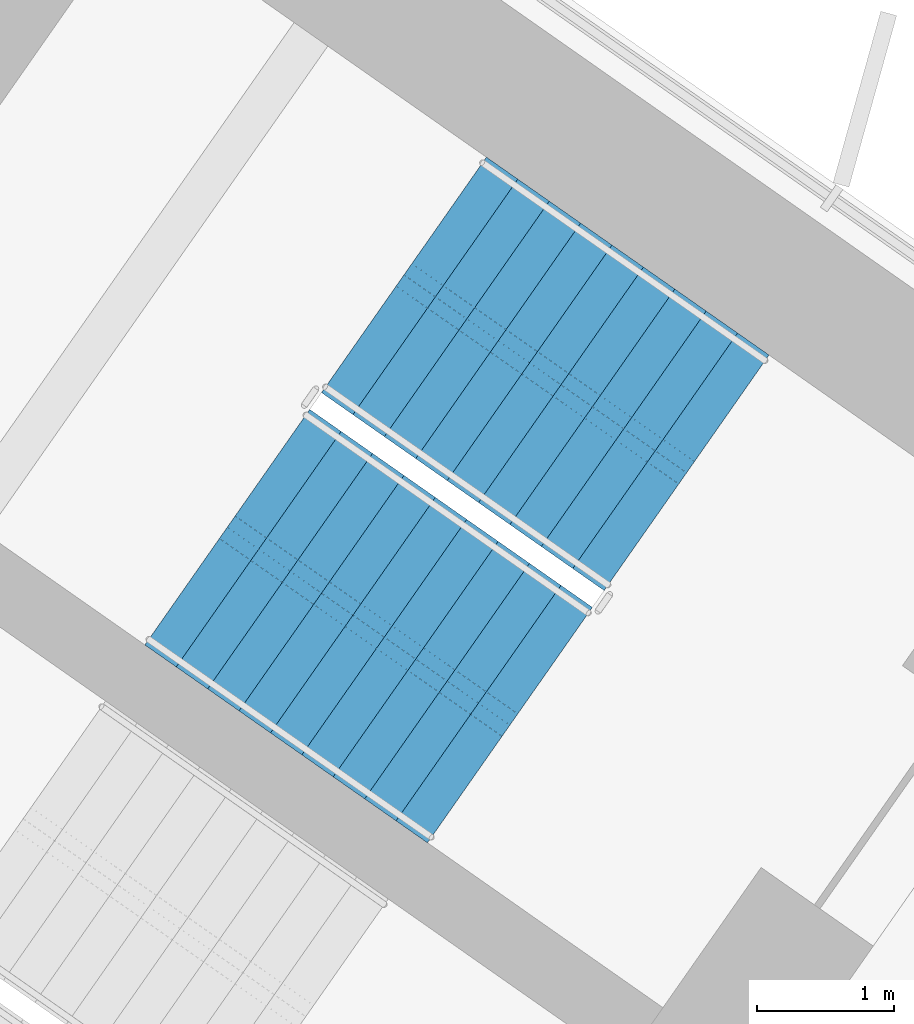
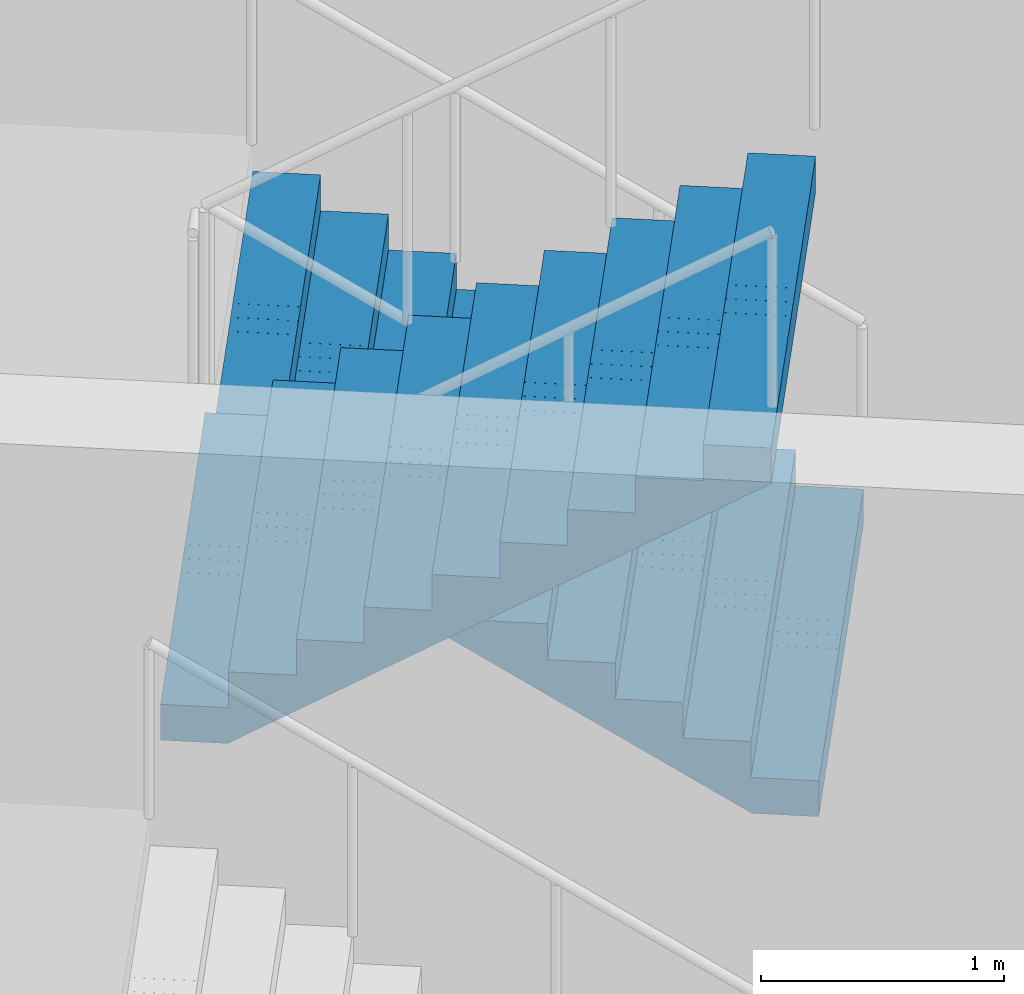
# One storey, part 17 of 23: 2 stair flights, 1 element without a shape of its own.
"""IFC4 building model written with IfcOpenShell, lengths in metres."""

from ifc_helpers import new_model, si_unit, direction, frame, origin, place, context, subcontext, project, spatial, polyline, outline, extrude, material, type_object, element, aggregate, save


model = new_model("IFC4")

# Units and contexts
model_context = context("Model", 3, precision=1e-05, world=origin(), true_north=direction((0.0, 1.0)))
body_context = subcontext(model_context, "Body", "Model", "MODEL_VIEW")
ifc_project = project(units=[si_unit("LENGTHUNIT", "METRE"), si_unit("AREAUNIT", "SQUARE_METRE"), si_unit("VOLUMEUNIT", "CUBIC_METRE"), si_unit("PLANEANGLEUNIT", "RADIAN"), si_unit("MASSUNIT", "GRAM", prefix="KILO")], contexts=[model_context])

# Site, building, storey
site_placement = place(None, origin())
site = spatial("IfcSite", under=ifc_project, at=site_placement, CompositionType="ELEMENT")
building_placement = place(site_placement, origin())
building = spatial("IfcBuilding", under=site, at=building_placement, Name="Tel Ilan Convention Tower", CompositionType="ELEMENT")
storey_placement = place(building_placement, frame((0.0, 0.0, 94.10009765625)))
storey = spatial("IfcBuildingStorey", under=building, at=storey_placement, Name="L19", CompositionType="ELEMENT", Elevation=94.10009765625)

# Stair, stair flights
ifc_material_1 = material(Name="Concrete C40/50", Category="concrete")
stair_type = type_object("IfcStairType", Name="Pressurised Exit Stair 20 risers 180 mm", PredefinedType="HALF_TURN_STAIR", material=ifc_material_1)
stair_placement = place(storey_placement, origin())
stair = element("IfcStair", 1, at=stair_placement, inside=storey, type_object=stair_type, Name="L19 Pressurised Stair S3", PredefinedType="HALF_TURN_STAIR")
ifc_material_2 = material(Name="Precast Concrete C40/50", Category="concrete")
stair_flight_type = type_object("IfcStairFlightType", Name="Concrete Stair Flight 2100 mm 20 risers 180 mm", PredefinedType="STRAIGHT", material=ifc_material_2)
stair_flight_1_placement = place(storey_placement, frame((24.25244140625, -7.032470703125, 0.0), z_axis=(0.0, 0.0, 1.0), x_axis=(-0.819152044289, 0.573576436351, 0.0)))
stair_flight_1 = element("IfcStairFlight", 2, at=stair_flight_1_placement, type_object=stair_flight_type, Name="S3 flight 1", NumberOfRisers=10, NumberOfTreads=9, PredefinedType="STRAIGHT", RiserHeight=0.18, TreadLength=0.28, context=body_context, shape_type="SweptSolid", body=[
    extrude(outline(polyline([(0.0, 0.0), (0.0, 0.179931640625), (0.280029296875, 0.179931640625), (0.280029296875, 0.360107421875), (0.56005859375, 0.360107421875), (0.56005859375, 0.5400390625), (0.840087890625, 0.5400390625), (0.840087890625, 0.719970703125), (1.1201171875, 0.719970703125), (1.1201171875, 0.89990234375), (1.39990234375, 0.89990234375), (1.39990234375, 1.080078125), (1.679931640625, 1.080078125), (1.679931640625, 1.260009765625), (1.9599609375, 1.260009765625), (1.9599609375, 1.43994140625), (2.239990234375, 1.43994140625), (2.239990234375, 1.6201171875), (2.52001953125, 1.6201171875), (2.52001953125, 1.800048828125), (2.52001953125, 1.44189453125), (0.277099609375, 0.0), (0.0, 0.0)])), frame((0.0, -0.100341796875, 0.0), z_axis=(0.0, -1.0, 0.0), x_axis=(1.0, 0.0, 0.0)), (0.0, 0.0, 1.0), 0.94970703125),
    extrude(outline(polyline([(0.0, 0.0), (0.0, 0.179931640625), (0.280029296875, 0.179931640625), (0.280029296875, 0.360107421875), (0.56005859375, 0.360107421875), (0.56005859375, 0.5400390625), (0.840087890625, 0.5400390625), (0.840087890625, 0.719970703125), (1.1201171875, 0.719970703125), (1.1201171875, 0.89990234375), (1.39990234375, 0.89990234375), (1.39990234375, 1.080078125), (1.679931640625, 1.080078125), (1.679931640625, 1.260009765625), (1.9599609375, 1.260009765625), (1.9599609375, 1.43994140625), (2.239990234375, 1.43994140625), (2.239990234375, 1.6201171875), (2.52001953125, 1.6201171875), (2.52001953125, 1.800048828125), (2.52001953125, 1.44189453125), (0.277099609375, 0.0), (0.0, 0.0)])), frame((0.0, -0.000244140625, 0.0), z_axis=(0.0, -1.0, 0.0), x_axis=(1.0, 0.0, 0.0)), (0.0, 0.0, 1.0), 0.099609375),
    extrude(outline(polyline([(0.0, 0.0), (0.0, 0.179931640625), (0.280029296875, 0.179931640625), (0.280029296875, 0.360107421875), (0.56005859375, 0.360107421875), (0.56005859375, 0.5400390625), (0.840087890625, 0.5400390625), (0.840087890625, 0.719970703125), (1.1201171875, 0.719970703125), (1.1201171875, 0.89990234375), (1.39990234375, 0.89990234375), (1.39990234375, 1.080078125), (1.679931640625, 1.080078125), (1.679931640625, 1.260009765625), (1.9599609375, 1.260009765625), (1.9599609375, 1.43994140625), (2.239990234375, 1.43994140625), (2.239990234375, 1.6201171875), (2.52001953125, 1.6201171875), (2.52001953125, 1.800048828125), (2.52001953125, 1.44189453125), (0.277099609375, 0.0), (0.0, 0.0)])), frame((0.0, 0.099853515625, 0.0), z_axis=(0.0, -1.0, 0.0), x_axis=(1.0, 0.0, 0.0)), (0.0, 0.0, 1.0), 0.099609375),
    extrude(outline(polyline([(0.0, 0.0), (0.0, 0.179931640625), (0.280029296875, 0.179931640625), (0.280029296875, 0.360107421875), (0.56005859375, 0.360107421875), (0.56005859375, 0.5400390625), (0.840087890625, 0.5400390625), (0.840087890625, 0.719970703125), (1.1201171875, 0.719970703125), (1.1201171875, 0.89990234375), (1.39990234375, 0.89990234375), (1.39990234375, 1.080078125), (1.679931640625, 1.080078125), (1.679931640625, 1.260009765625), (1.9599609375, 1.260009765625), (1.9599609375, 1.43994140625), (2.239990234375, 1.43994140625), (2.239990234375, 1.6201171875), (2.52001953125, 1.6201171875), (2.52001953125, 1.800048828125), (2.52001953125, 1.44189453125), (0.277099609375, 0.0), (0.0, 0.0)])), frame((0.0, 1.050048828125, 0.0), z_axis=(0.0, -1.0, 0.0), x_axis=(1.0, 0.0, 0.0)), (0.0, 0.0, 1.0), 0.94970703125),
])
stair_flight_2_placement = place(storey_placement, frame((20.8974609375, -7.43017578125, 1.7998046875), z_axis=(0.0, 0.0, 1.0), x_axis=(0.819152044289, -0.573576436351, 0.0)))
stair_flight_2 = element("IfcStairFlight", 3, at=stair_flight_2_placement, type_object=stair_flight_type, Name="S3 flight 2", NumberOfRisers=10, NumberOfTreads=9, PredefinedType="STRAIGHT", RiserHeight=0.18, TreadLength=0.28, context=body_context, shape_type="SweptSolid", body=[
    extrude(outline(polyline([(0.0, 0.0), (0.0, 0.179931640625), (0.280029296875, 0.179931640625), (0.280029296875, 0.360107421875), (0.56005859375, 0.360107421875), (0.56005859375, 0.5400390625), (0.840087890625, 0.5400390625), (0.840087890625, 0.719970703125), (1.1201171875, 0.719970703125), (1.1201171875, 0.89990234375), (1.39990234375, 0.89990234375), (1.39990234375, 1.080078125), (1.679931640625, 1.080078125), (1.679931640625, 1.260009765625), (1.9599609375, 1.260009765625), (1.9599609375, 1.43994140625), (2.239990234375, 1.43994140625), (2.239990234375, 1.6201171875), (2.52001953125, 1.6201171875), (2.52001953125, 1.800048828125), (2.52001953125, 1.44189453125), (0.277099609375, 0.0), (0.0, 0.0)])), frame((0.0, -0.100341796875, 0.0), z_axis=(0.0, -1.0, 0.0), x_axis=(1.0, 0.0, 0.0)), (0.0, 0.0, 1.0), 0.94970703125),
    extrude(outline(polyline([(0.0, 0.0), (0.0, 0.179931640625), (0.280029296875, 0.179931640625), (0.280029296875, 0.360107421875), (0.56005859375, 0.360107421875), (0.56005859375, 0.5400390625), (0.840087890625, 0.5400390625), (0.840087890625, 0.719970703125), (1.1201171875, 0.719970703125), (1.1201171875, 0.89990234375), (1.39990234375, 0.89990234375), (1.39990234375, 1.080078125), (1.679931640625, 1.080078125), (1.679931640625, 1.260009765625), (1.9599609375, 1.260009765625), (1.9599609375, 1.43994140625), (2.239990234375, 1.43994140625), (2.239990234375, 1.6201171875), (2.52001953125, 1.6201171875), (2.52001953125, 1.800048828125), (2.52001953125, 1.44189453125), (0.277099609375, 0.0), (0.0, 0.0)])), frame((0.0, -0.000244140625, 0.0), z_axis=(0.0, -1.0, 0.0), x_axis=(1.0, 0.0, 0.0)), (0.0, 0.0, 1.0), 0.099609375),
    extrude(outline(polyline([(0.0, 0.0), (0.0, 0.179931640625), (0.280029296875, 0.179931640625), (0.280029296875, 0.360107421875), (0.56005859375, 0.360107421875), (0.56005859375, 0.5400390625), (0.840087890625, 0.5400390625), (0.840087890625, 0.719970703125), (1.1201171875, 0.719970703125), (1.1201171875, 0.89990234375), (1.39990234375, 0.89990234375), (1.39990234375, 1.080078125), (1.679931640625, 1.080078125), (1.679931640625, 1.260009765625), (1.9599609375, 1.260009765625), (1.9599609375, 1.43994140625), (2.239990234375, 1.43994140625), (2.239990234375, 1.6201171875), (2.52001953125, 1.6201171875), (2.52001953125, 1.800048828125), (2.52001953125, 1.44189453125), (0.277099609375, 0.0), (0.0, 0.0)])), frame((0.0, 0.099853515625, 0.0), z_axis=(0.0, -1.0, 0.0), x_axis=(1.0, 0.0, 0.0)), (0.0, 0.0, 1.0), 0.099609375),
    extrude(outline(polyline([(0.0, 0.0), (0.0, 0.179931640625), (0.280029296875, 0.179931640625), (0.280029296875, 0.360107421875), (0.56005859375, 0.360107421875), (0.56005859375, 0.5400390625), (0.840087890625, 0.5400390625), (0.840087890625, 0.719970703125), (1.1201171875, 0.719970703125), (1.1201171875, 0.89990234375), (1.39990234375, 0.89990234375), (1.39990234375, 1.080078125), (1.679931640625, 1.080078125), (1.679931640625, 1.260009765625), (1.9599609375, 1.260009765625), (1.9599609375, 1.43994140625), (2.239990234375, 1.43994140625), (2.239990234375, 1.6201171875), (2.52001953125, 1.6201171875), (2.52001953125, 1.800048828125), (2.52001953125, 1.44189453125), (0.277099609375, 0.0), (0.0, 0.0)])), frame((0.0, 1.050048828125, 0.0), z_axis=(0.0, -1.0, 0.0), x_axis=(1.0, 0.0, 0.0)), (0.0, 0.0, 1.0), 0.94970703125),
])
aggregate(stair, [stair_flight_1, stair_flight_2])

save(model, "model.ifc")
